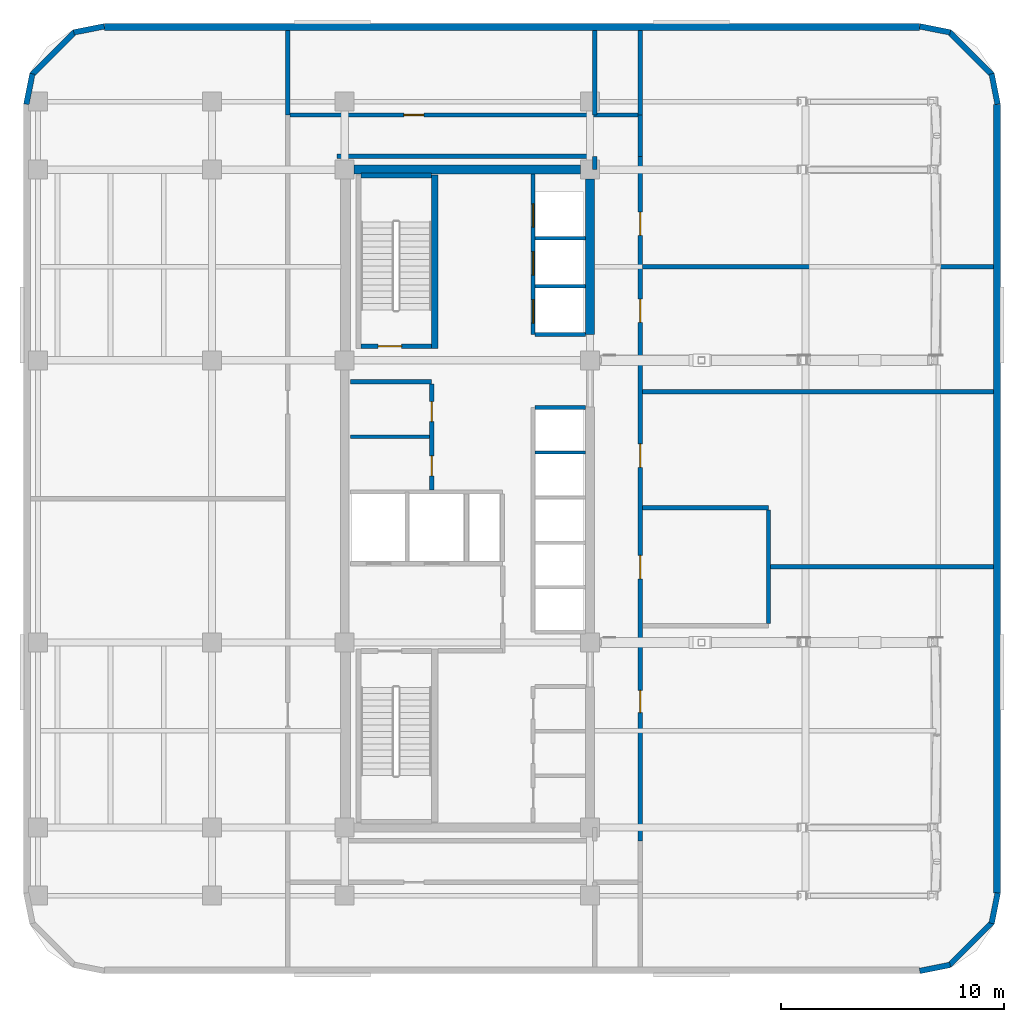
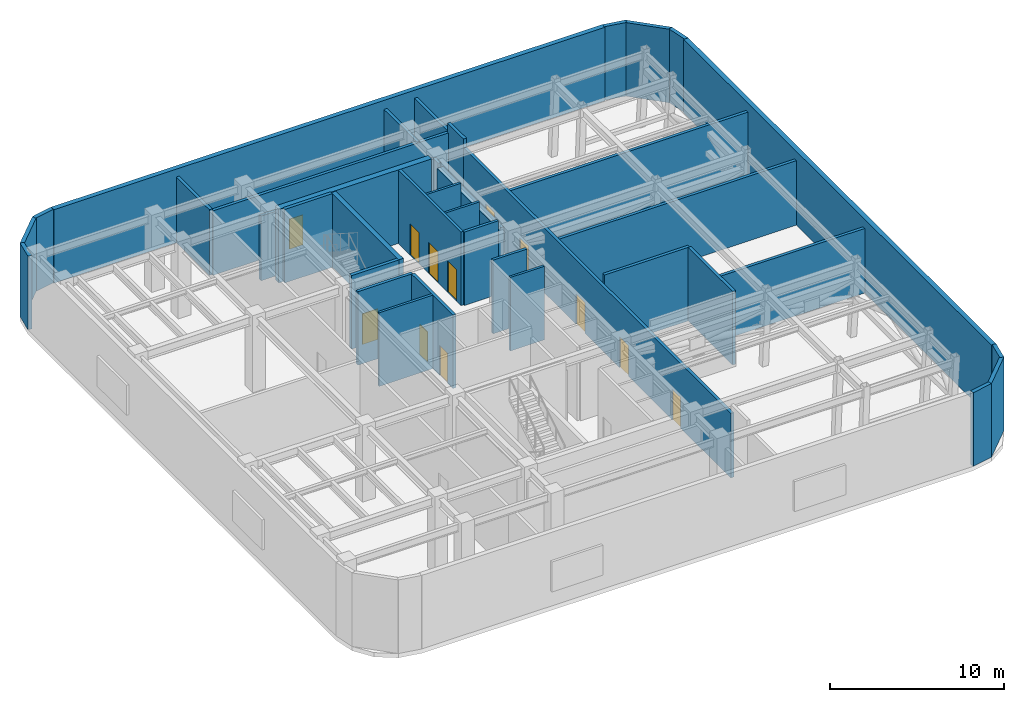
# One storey, part 7 of 12: 38 walls, 12 doors, 12 openings.
"""IFC4 building model written with IfcOpenShell, lengths in metres."""

import ifcopenshell
import ifcopenshell.guid

model = None  # the IFC model being written
_history = None  # IfcOwnerHistory: only IFC2X3 demands one
_inside = {}  # id of a spatial element -> (the spatial element, [elements in it])
_under = {}  # id of a project, library or spatial element -> (it, [spatial elements below it])
_declared = {}  # id of a project -> (the project, [libraries it declares])
_typed = {}  # id of a type object -> (the type object, [elements of that type])
_made_of = {}  # id of a material, layer set ... -> (it, [elements and type objects made of it])


def new_model(schema):
    """Start an empty IFC model of exactly this schema.

    Asked for "IFC4X3", IfcOpenShell would pick the latest addendum, in which some entities
    have other attributes; the version numbers below select the first issue.
    IFC2X3 requires an IfcOwnerHistory on every rooted entity: one is made here for all.
    """
    global model, _history
    if schema == "IFC4X3":
        model = ifcopenshell.file(schema_version=(4, 3, 0, 0))
    else:
        model = ifcopenshell.file(schema=schema)
    _inside.clear()
    _under.clear()
    _declared.clear()
    _typed.clear()
    _made_of.clear()
    _history = None
    if model.schema == "IFC2X3":
        org = make("IfcOrganization", Name="unknown")
        user = make(
            "IfcPersonAndOrganization",
            ThePerson=make("IfcPerson", FamilyName="unknown"),
            TheOrganization=org,
        )
        app = make(
            "IfcApplication",
            ApplicationDeveloper=org,
            Version="unknown",
            ApplicationFullName="unknown",
            ApplicationIdentifier="unknown",
        )
        _history = make(
            "IfcOwnerHistory",
            OwningUser=user,
            OwningApplication=app,
            ChangeAction="ADDED",
            CreationDate=0,
        )
    return model


def make(cls, **values):
    """One entity of the class cls with the attributes given. An attribute that is None is left unset."""
    return model.create_entity(
        cls, **{name: value for name, value in values.items() if value is not None}
    )


def rooted(cls, **values):
    """An entity with a GlobalId (a new one), such as an element, a storey or a relation."""
    return make(cls, GlobalId=ifcopenshell.guid.new(), OwnerHistory=_history, **values)


def si_unit(unit_type, name, prefix=None):
    """IfcSIUnit, for example si_unit("LENGTHUNIT", "METRE", prefix="MILLI")."""
    return make("IfcSIUnit", UnitType=unit_type, Prefix=prefix, Name=name)


def assignment(units):
    """IfcUnitAssignment: the units of a project."""
    return None if units is None else make("IfcUnitAssignment", Units=units)


def point(xyz):
    """IfcCartesianPoint."""
    return None if xyz is None else make("IfcCartesianPoint", Coordinates=xyz)


def direction(xyz):
    """IfcDirection."""
    return None if xyz is None else make("IfcDirection", DirectionRatios=xyz)


def frame(location, z_axis=None, x_axis=None):
    """IfcAxis2Placement3D, a coordinate frame: its origin and axes. An axis left out is left unset."""
    return make(
        "IfcAxis2Placement3D",
        Location=point(location),
        Axis=direction(z_axis),
        RefDirection=direction(x_axis),
    )


def frame_2d(location, x_axis=None):
    """IfcAxis2Placement2D, a coordinate frame in the plane: its origin and x axis."""
    return make(
        "IfcAxis2Placement2D", Location=point(location), RefDirection=direction(x_axis)
    )


def origin():
    """The frame at (0, 0, 0) with its axes left unset."""
    return frame((0.0, 0.0, 0.0))


def place(relative_to, where):
    """IfcLocalPlacement: puts the frame where relative to a parent placement (None: the world)."""
    return make(
        "IfcLocalPlacement", PlacementRelTo=relative_to, RelativePlacement=where
    )


def context(
    kind, dimensions, precision=None, world=None, true_north=None, identifier=None
):
    """IfcGeometricRepresentationContext, for example the 3D "Model" context."""
    return make(
        "IfcGeometricRepresentationContext",
        ContextIdentifier=identifier,
        ContextType=kind,
        CoordinateSpaceDimension=dimensions,
        Precision=precision,
        WorldCoordinateSystem=world,
        TrueNorth=true_north,
    )


def subcontext(parent, identifier, kind, view, scale=None):
    """IfcGeometricRepresentationSubContext, for example "Body" below "Model"."""
    return make(
        "IfcGeometricRepresentationSubContext",
        ContextIdentifier=identifier,
        ContextType=kind,
        ParentContext=parent,
        TargetScale=scale,
        TargetView=view,
    )


def project(units=None, contexts=None):
    """IfcProject with its units and contexts."""
    return rooted(
        "IfcProject",
        Name="project",
        RepresentationContexts=contexts,
        UnitsInContext=assignment(units),
    )


def spatial(cls, under=None, at=None, **own):
    """A site, building, storey or space (cls), placed at a placement, below another one or the project."""
    s = rooted(cls, ObjectPlacement=at, **own)
    if under is not None:
        _under.setdefault(under.id(), (under, []))[1].append(s)
    return s


def profile(cls, at=None, kind="AREA", **sizes):
    """A parametric profile (cls). Its sizes go by their IFC names, for example OverallWidth=200.0."""
    return make(cls, ProfileType=kind, Position=at, **sizes)


def rectangle(**sizes):
    """IfcRectangleProfileDef."""
    return profile("IfcRectangleProfileDef", **sizes)


def extrude(swept, where, along, depth):
    """IfcExtrudedAreaSolid: the profile swept, set in the frame where, extruded along a direction by depth."""
    return make(
        "IfcExtrudedAreaSolid",
        SweptArea=swept,
        Position=where,
        ExtrudedDirection=direction(along),
        Depth=depth,
    )


def shape(context_of_items, identifier, shape_type, items):
    """IfcShapeRepresentation: the items that make up one representation, for example the "Body"."""
    return make(
        "IfcShapeRepresentation",
        ContextOfItems=context_of_items,
        RepresentationIdentifier=identifier,
        RepresentationType=shape_type,
        Items=items,
    )


def material(Name=None, Category=None):
    """IfcMaterial."""
    return make("IfcMaterial", Name=Name, Category=Category)


def layer(
    of_material, thickness, ventilated=None, Name=None, Category=None, Priority=None
):
    """IfcMaterialLayer: one layer of a wall or slab, of a material (None: an air gap)."""
    return make(
        "IfcMaterialLayer",
        Material=of_material,
        LayerThickness=thickness,
        IsVentilated=ventilated,
        Name=Name,
        Category=Category,
        Priority=Priority,
    )


def layer_set(layers, Name=None):
    """IfcMaterialLayerSet."""
    return make("IfcMaterialLayerSet", MaterialLayers=layers, LayerSetName=Name)


def made_of(thing, what):
    """Note that an element or type object is made of a material, layer set ...; save() writes the relation."""
    if what is not None:
        _made_of.setdefault(what.id(), (what, []))[1].append(thing)
    return thing


def type_object(cls, material=None, **own):
    """A type object (cls), such as IfcWallType, which elements share."""
    return made_of(rooted(cls, **own), material)


def element(
    cls,
    number,
    at=None,
    inside=None,
    cuts=None,
    type_object=None,
    material=None,
    context=None,
    identifier="Body",
    shape_type=None,
    held_by="IfcProductDefinitionShape",
    body=None,
    shapes=None,
    **own,
):
    """One element of the class cls, such as IfcWall. Its Tag is "e" and its number.

    at: its placement. inside: the storey or other place that contains it. cuts: it is an
    opening in that element (IfcRelVoidsElement). A single representation is given by context,
    identifier, shape_type and body (its items); several are given by shapes. held_by: the class
    of the entity that holds the representations. save() writes the other relations.
    """
    e = rooted(cls, Tag="e%d" % number, ObjectPlacement=at, **own)
    if body is not None:
        shapes = [shape(context, identifier, shape_type, body)]
    if shapes is not None:
        e.Representation = make(held_by, Representations=shapes)
    if inside is not None:
        _inside.setdefault(inside.id(), (inside, []))[1].append(e)
    if cuts is not None:
        rooted(
            "IfcRelVoidsElement", RelatingBuildingElement=cuts, RelatedOpeningElement=e
        )
    if type_object is not None:
        _typed.setdefault(type_object.id(), (type_object, []))[1].append(e)
    return made_of(e, material)


def fill(opening, filler):
    """IfcRelFillsElement: the door or window that sits in an opening."""
    return rooted(
        "IfcRelFillsElement",
        RelatingOpeningElement=opening,
        RelatedBuildingElement=filler,
    )


def aggregate(whole, parts):
    """IfcRelAggregates: a whole, such as a stair, and the parts it consists of."""
    return rooted("IfcRelAggregates", RelatingObject=whole, RelatedObjects=parts)


def save(model, path):
    """Write the relations noted so far, then the file.

    IfcRelAggregates (storeys below a building ...), IfcRelContainedInSpatialStructure (elements
    in a storey), IfcRelDefinesByType, IfcRelAssociatesMaterial and IfcRelDeclares: one each for
    every whole, place, type object, material and project.
    """
    for whole, parts in _under.values():
        aggregate(whole, parts)
    for where, things in _inside.values():
        rooted(
            "IfcRelContainedInSpatialStructure",
            RelatedElements=things,
            RelatingStructure=where,
        )
    for kind, things in _typed.values():
        rooted("IfcRelDefinesByType", RelatedObjects=things, RelatingType=kind)
    for what, things in _made_of.values():
        rooted("IfcRelAssociatesMaterial", RelatedObjects=things, RelatingMaterial=what)
    for by, libraries in _declared.values():
        rooted("IfcRelDeclares", RelatingContext=by, RelatedDefinitions=libraries)
    model.write(path)


model = new_model("IFC4")

# Units and contexts
model_context = context("Model", 3, precision=1e-05, world=origin(), true_north=direction((0.0, 1.0)))
body_context = subcontext(model_context, "Body", "Model", "MODEL_VIEW")
ifc_project = project(units=[si_unit("LENGTHUNIT", "METRE"), si_unit("AREAUNIT", "SQUARE_METRE"), si_unit("VOLUMEUNIT", "CUBIC_METRE"), si_unit("PLANEANGLEUNIT", "RADIAN"), si_unit("MASSUNIT", "GRAM", prefix="KILO")], contexts=[model_context])

# Site, building, storey
site_placement = place(None, origin())
site = spatial("IfcSite", under=ifc_project, at=site_placement, CompositionType="ELEMENT")
building_placement = place(site_placement, origin())
building = spatial("IfcBuilding", under=site, at=building_placement, Name="Ochreholt Gables", CompositionType="ELEMENT")
storey_placement = place(building_placement, frame((0.0, 0.0, 135.60009765625)))
storey = spatial("IfcBuildingStorey", under=building, at=storey_placement, Name="L35", CompositionType="ELEMENT", Elevation=135.60009765625)

# Walls
ifc_material_1 = material(Name="Concrete 60 MPa", Category="concrete")
ifc_layer_1 = layer(ifc_material_1, 0.39990234375, Name="Concrete 60 MPa")
ifc_layer_set_1 = layer_set([ifc_layer_1], Name="Concrete 60 MPa")
wall_type_1 = type_object("IfcWallType", Name="WALL-CSW-400", PredefinedType="SHEAR", material=ifc_layer_set_1)
wall_1_placement = place(storey_placement, frame((35.199951171875, 31.35009765625, 0.0), z_axis=(0.0, 0.0, 1.0), x_axis=(0.0, 1.0, 0.0)))
element("IfcWall", 1, at=wall_1_placement, inside=storey, type_object=wall_type_1, Name="L35 Core North-East Shear Wall", PredefinedType="SHEAR", context=body_context, shape_type="SweptSolid", body=[
    extrude(rectangle(XDim=6.974853515625, YDim=0.39990234375, at=frame_2d((3.4873046875, 0.0))), origin(), (0.0, 0.0, 1.0), 4.548828125),
])
wall_2_placement = place(storey_placement, frame((24.625, 38.75, 0.0), z_axis=(0.0, 0.0, 1.0), x_axis=(1.0, 0.0, 0.0)))
element("IfcWall", 2, at=wall_2_placement, inside=storey, type_object=wall_type_1, Name="L35 Core North Shear Wall", PredefinedType="SHEAR", context=body_context, shape_type="SweptSolid", body=[
    extrude(rectangle(XDim=10.14990234375, YDim=0.39990234375, at=frame_2d((5.074951171875, 0.0))), origin(), (0.0, 0.0, 1.0), 5.159912109375),
])
ifc_material_2 = material(Name="Precast concrete 40 MPa", Category="concrete")
ifc_layer_2 = layer(ifc_material_2, 0.25, Name="Precast concrete 40 MPa")
ifc_layer_set_2 = layer_set([ifc_layer_2], Name="Precast concrete 40 MPa")
wall_type_2 = type_object("IfcWallType", Name="WALL-EXT-CNR", PredefinedType="SOLIDWALL", material=ifc_layer_set_2)
wall_3_placement = place(storey_placement, frame((49.9833984375, 2.82421875, 0.0), z_axis=(0.0, 0.0, 1.0), x_axis=(0.980809899341, 0.19496651342, 0.0)))
element("IfcWall", 3, at=wall_3_placement, inside=storey, type_object=wall_type_2, Name="L35 Rounded Corner Wall SE-1", PredefinedType="SOLIDWALL", context=body_context, shape_type="SweptSolid", body=[
    extrude(rectangle(XDim=1.388671875, YDim=0.25, at=frame_2d((0.6943359375, 0.0))), origin(), (0.0, 0.0, 1.0), 5.159912109375),
])
wall_4_placement = place(storey_placement, frame((51.294921875, 3.068115234375, 0.0), z_axis=(0.0, 0.0, 1.0), x_axis=(0.707151344399, 0.707062215165, 0.0)))
element("IfcWall", 4, at=wall_4_placement, inside=storey, type_object=wall_type_2, Name="L35 Rounded Corner Wall SE-2", PredefinedType="SOLIDWALL", context=body_context, shape_type="SweptSolid", body=[
    extrude(rectangle(XDim=2.7392578125, YDim=0.25, at=frame_2d((1.36962890625, 0.0))), origin(), (0.0, 0.0, 1.0), 5.159912109375),
])
for number, where, z_axis, x_axis, name in (
    (5, (53.205078125, 4.95458984375, 0.0), (0.0, 0.0, 1.0), (0.195000137217, 0.980803214965, 0.0), "L35 Rounded Corner Wall SE-3"),
    (6, (53.475830078125, 41.68359375, 0.0), (0.0, 0.0, 1.0), (-0.195000137217, 0.980803214965, 0.0), "L35 Rounded Corner Wall NE-1"),
):
    element("IfcWall", number, at=place(storey_placement, frame(where, z_axis=z_axis, x_axis=x_axis)), inside=storey, type_object=wall_type_2, Name=name, PredefinedType="SOLIDWALL", context=body_context, shape_type="SweptSolid", body=[
        extrude(rectangle(XDim=1.388427734375, YDim=0.25, at=frame_2d((0.6943359375, 0.0))), origin(), (0.0, 0.0, 1.0), 5.159912109375),
    ])
wall_5_placement = place(storey_placement, frame((53.23193359375, 42.9951171875, 0.0), z_axis=(0.0, 0.0, 1.0), x_axis=(-0.707151344399, 0.707062215165, 0.0)))
element("IfcWall", 7, at=wall_5_placement, inside=storey, type_object=wall_type_2, Name="L35 Rounded Corner Wall NE-2", PredefinedType="SOLIDWALL", context=body_context, shape_type="SweptSolid", body=[
    extrude(rectangle(XDim=2.7392578125, YDim=0.25, at=frame_2d((1.36962890625, 0.0))), origin(), (0.0, 0.0, 1.0), 5.159912109375),
])
for number, where, z_axis, x_axis, name in (
    (8, (51.345458984375, 44.905029296875, 0.0), (0.0, 0.0, 1.0), (-0.980809899341, 0.19496651342, 0.0), "L35 Rounded Corner Wall NE-3"),
    (9, (13.41650390625, 45.17578125, 0.0), (0.0, 0.0, 1.0), (-0.980809899341, -0.19496651342, 0.0), "L35 Rounded Corner Wall NW-1"),
):
    element("IfcWall", number, at=place(storey_placement, frame(where, z_axis=z_axis, x_axis=x_axis)), inside=storey, type_object=wall_type_2, Name=name, PredefinedType="SOLIDWALL", context=body_context, shape_type="SweptSolid", body=[
        extrude(rectangle(XDim=1.388671875, YDim=0.25, at=frame_2d((0.6943359375, 0.0))), origin(), (0.0, 0.0, 1.0), 5.159912109375),
    ])
wall_6_placement = place(storey_placement, frame((12.10498046875, 44.931884765625, 0.0), z_axis=(0.0, 0.0, 1.0), x_axis=(-0.707151344399, -0.707062215165, 0.0)))
element("IfcWall", 10, at=wall_6_placement, inside=storey, type_object=wall_type_2, Name="L35 Rounded Corner Wall NW-2", PredefinedType="SOLIDWALL", context=body_context, shape_type="SweptSolid", body=[
    extrude(rectangle(XDim=2.7392578125, YDim=0.25, at=frame_2d((1.36962890625, 0.0))), origin(), (0.0, 0.0, 1.0), 5.159912109375),
])
wall_7_placement = place(storey_placement, frame((10.195068359375, 43.04541015625, 0.0), z_axis=(0.0, 0.0, 1.0), x_axis=(-0.195000137217, -0.980803214965, 0.0)))
element("IfcWall", 11, at=wall_7_placement, inside=storey, type_object=wall_type_2, Name="L35 Rounded Corner Wall NW-3", PredefinedType="SOLIDWALL", context=body_context, shape_type="SweptSolid", body=[
    extrude(rectangle(XDim=1.388427734375, YDim=0.25, at=frame_2d((0.6943359375, 0.0))), origin(), (0.0, 0.0, 1.0), 5.159912109375),
])
ifc_material_3 = material(Name="Precast concrete 50 MPa", Category="concrete")
ifc_layer_3 = layer(ifc_material_3, 0.31005859375, Name="Precast concrete 50 MPa")
ifc_layer_set_3 = layer_set([ifc_layer_3], Name="Precast concrete 50 MPa")
wall_type_3 = type_object("IfcWallType", Name="WALL-EXT-PLT", PredefinedType="SOLIDWALL", material=ifc_layer_set_3)
wall_8_placement = place(storey_placement, frame((53.445068359375, 6.320068359375, 0.0), z_axis=(0.0, 0.0, 1.0), x_axis=(0.0, 1.0, 0.0)))
element("IfcWall", 12, at=wall_8_placement, inside=storey, type_object=wall_type_3, Name="L35 East Plant Facade Wall", PredefinedType="SOLIDWALL", context=body_context, shape_type="SweptSolid", body=[
    extrude(rectangle(XDim=35.35986328125, YDim=0.31005859375, at=frame_2d((17.679931640625, 0.0))), origin(), (0.0, 0.0, 1.0), 5.159912109375),
])
wall_9_placement = place(storey_placement, frame((49.97998046875, 45.14501953125, 0.0), z_axis=(0.0, 0.0, 1.0), x_axis=(-1.0, 0.0, 0.0)))
element("IfcWall", 13, at=wall_9_placement, inside=storey, type_object=wall_type_3, Name="L35 North Plant Facade Wall", PredefinedType="SOLIDWALL", context=body_context, shape_type="SweptSolid", body=[
    extrude(rectangle(XDim=36.56005859375, YDim=0.31005859375, at=frame_2d((18.280029296875, 0.0))), origin(), (0.0, 0.0, 1.0), 5.159912109375),
])
ifc_material_4 = material(Name="Concrete 40 MPa", Category="concrete")
ifc_layer_4 = layer(ifc_material_4, 0.199951171875, Name="Concrete 40 MPa")
ifc_layer_set_4 = layer_set([ifc_layer_4], Name="Concrete 40 MPa")
wall_type_4 = type_object("IfcWallType", Name="WALL-INT-CF200", PredefinedType="STANDARD", material=ifc_layer_set_4)
wall_10_placement = place(storey_placement, frame((24.449951171875, 29.239990234375, 0.0), z_axis=(0.0, 0.0, 1.0), x_axis=(1.0, 0.0, 0.0)))
element("IfcWall", 14, at=wall_10_placement, inside=storey, type_object=wall_type_4, Name="L35 Interior Wall WI-SRVN-L35", PredefinedType="STANDARD", context=body_context, shape_type="SweptSolid", body=[
    extrude(rectangle(XDim=3.650146484375, YDim=0.199951171875, at=frame_2d((1.8251953125, 0.0))), origin(), (0.0, 0.0, 1.0), 5.159912109375),
])

# Wall, openings, doors
wall_11_placement = place(storey_placement, frame((28.10009765625, 24.389892578125, 0.0), z_axis=(0.0, 0.0, 1.0), x_axis=(0.0, 1.0, 0.0)))
wall_11 = element("IfcWall", 15, at=wall_11_placement, inside=storey, type_object=wall_type_4, Name="L35 Interior Wall WI-SRVE-L35", PredefinedType="STANDARD", context=body_context, shape_type="SweptSolid", body=[
    extrude(rectangle(XDim=4.75, YDim=0.199951171875, at=frame_2d((2.375, 0.0))), origin(), (0.0, 0.0, 1.0), 5.159912109375),
])
opening_1_placement = place(wall_11_placement, frame((0.6298828125, 0.0, 0.0)))
opening_1 = element("IfcOpeningElement", 16, at=opening_1_placement, cuts=wall_11, Name="Opening D-SV1", PredefinedType="OPENING", context=body_context, shape_type="SweptSolid", body=[
    extrude(rectangle(XDim=0.89990234375, YDim=2.10009765625, at=frame_2d((0.449951171875, 1.050048828125))), frame((0.0, 0.10986328125, 0.0), z_axis=(0.0, -1.0, 0.0), x_axis=(1.0, 0.0, 0.0)), (0.0, 0.0, 1.0), 0.219970703125),
])
opening_2_placement = place(wall_11_placement, frame((3.06005859375, 0.0, 0.0)))
opening_2 = element("IfcOpeningElement", 17, at=opening_2_placement, cuts=wall_11, Name="Opening D-SV1", PredefinedType="OPENING", context=body_context, shape_type="SweptSolid", body=[
    extrude(rectangle(XDim=0.89990234375, YDim=2.10009765625, at=frame_2d((0.449951171875, 1.050048828125))), frame((0.0, 0.10986328125, 0.0), z_axis=(0.0, -1.0, 0.0), x_axis=(1.0, 0.0, 0.0)), (0.0, 0.0, 1.0), 0.219970703125),
])
ifc_material_5 = material(Name="Hollow Metal Steel", Category="steel")
door_type_1 = type_object("IfcDoorType", Name="DR-INT-SRV900", OperationType="NOTDEFINED", PredefinedType="DOOR", material=ifc_material_5)
door_1_placement = place(opening_1_placement, origin())
door_1 = element("IfcDoor", 18, at=door_1_placement, inside=storey, type_object=door_type_1, Name="L35 Door D-SRV1-L35", OperationType="SINGLE_SWING_LEFT", OverallHeight=2.10009765625, OverallWidth=0.89990234375, PredefinedType="DOOR", context=body_context, shape_type="SweptSolid", body=[
    extrude(rectangle(XDim=0.89990234375, YDim=2.10009765625, at=frame_2d((0.449951171875, 1.050048828125))), frame((0.0, 0.02490234375, 0.0), z_axis=(0.0, -1.0, 0.0), x_axis=(1.0, 0.0, 0.0)), (0.0, 0.0, 1.0), 0.050048828125),
])
fill(opening_1, door_1)
door_2_placement = place(opening_2_placement, origin())
door_2 = element("IfcDoor", 19, at=door_2_placement, inside=storey, type_object=door_type_1, Name="L35 Door D-SRV2-L35", OperationType="SINGLE_SWING_RIGHT", OverallHeight=2.10009765625, OverallWidth=0.89990234375, PredefinedType="DOOR", context=body_context, shape_type="SweptSolid", body=[
    extrude(rectangle(XDim=0.89990234375, YDim=2.10009765625, at=frame_2d((0.449951171875, 1.050048828125))), frame((0.0, 0.02490234375, 0.0), z_axis=(0.0, -1.0, 0.0), x_axis=(1.0, 0.0, 0.0)), (0.0, 0.0, 1.0), 0.050048828125),
])
fill(opening_2, door_2)

wall_12_placement = place(storey_placement, frame((37.449951171875, 8.64990234375, 0.0), z_axis=(0.0, 0.0, 1.0), x_axis=(0.0, 1.0, 0.0)))
wall_12 = element("IfcWall", 20, at=wall_12_placement, inside=storey, type_object=wall_type_4, Name="L35 Interior Wall WI-PLCE-L35", PredefinedType="STANDARD", context=body_context, shape_type="SweptSolid", body=[
    extrude(rectangle(XDim=30.7001953125, YDim=0.199951171875, at=frame_2d((15.35009765625, 0.0))), origin(), (0.0, 0.0, 1.0), 4.531005859375),
])
opening_3_placement = place(wall_12_placement, frame((11.75, 0.0, 0.0)))
opening_3 = element("IfcOpeningElement", 21, at=opening_3_placement, cuts=wall_12, Name="Opening D-FLB", PredefinedType="OPENING", context=body_context, shape_type="SweptSolid", body=[
    extrude(rectangle(XDim=1.050048828125, YDim=2.14990234375, at=frame_2d((0.52490234375, 1.074951171875))), frame((0.0, 0.10986328125, 0.0), z_axis=(0.0, -1.0, 0.0), x_axis=(1.0, 0.0, 0.0)), (0.0, 0.0, 1.0), 0.219970703125),
])
opening_4_placement = place(wall_12_placement, frame((5.75, 0.0, 0.0)))
opening_4 = element("IfcOpeningElement", 22, at=opening_4_placement, cuts=wall_12, Name="Opening D-SV3", PredefinedType="OPENING", context=body_context, shape_type="SweptSolid", body=[
    extrude(rectangle(XDim=1.0, YDim=2.14990234375, at=frame_2d((0.5, 1.074951171875))), frame((0.0, 0.10986328125, 0.0), z_axis=(0.0, -1.0, 0.0), x_axis=(1.0, 0.0, 0.0)), (0.0, 0.0, 1.0), 0.219970703125),
])
opening_5_placement = place(wall_12_placement, frame((16.75, 0.0, 0.0)))
opening_5 = element("IfcOpeningElement", 23, at=opening_5_placement, cuts=wall_12, Name="Opening D-SV4", PredefinedType="OPENING", context=body_context, shape_type="SweptSolid", body=[
    extrude(rectangle(XDim=1.050048828125, YDim=2.14990234375, at=frame_2d((0.52490234375, 1.074951171875))), frame((0.0, 0.10986328125, 0.0), z_axis=(0.0, -1.0, 0.0), x_axis=(1.0, 0.0, 0.0)), (0.0, 0.0, 1.0), 0.219970703125),
])
opening_6_placement = place(wall_12_placement, frame((23.25, 0.0, 0.0)))
opening_6 = element("IfcOpeningElement", 24, at=opening_6_placement, cuts=wall_12, Name="Opening D-SV4", PredefinedType="OPENING", context=body_context, shape_type="SweptSolid", body=[
    extrude(rectangle(XDim=1.050048828125, YDim=2.14990234375, at=frame_2d((0.52490234375, 1.074951171875))), frame((0.0, 0.10986328125, 0.0), z_axis=(0.0, -1.0, 0.0), x_axis=(1.0, 0.0, 0.0)), (0.0, 0.0, 1.0), 0.219970703125),
])
opening_7_placement = place(wall_12_placement, frame((27.14990234375, 0.0, 0.0)))
opening_7 = element("IfcOpeningElement", 25, at=opening_7_placement, cuts=wall_12, Name="Opening D-SV4", PredefinedType="OPENING", context=body_context, shape_type="SweptSolid", body=[
    extrude(rectangle(XDim=1.050048828125, YDim=2.14990234375, at=frame_2d((0.52490234375, 1.074951171875))), frame((0.0, 0.10986328125, 0.0), z_axis=(0.0, -1.0, 0.0), x_axis=(1.0, 0.0, 0.0)), (0.0, 0.0, 1.0), 0.219970703125),
])
door_type_2 = type_object("IfcDoorType", Name="DR-INT-FLB1050", OperationType="NOTDEFINED", PredefinedType="DOOR", material=ifc_material_5)
door_3_placement = place(opening_3_placement, origin())
door_3 = element("IfcDoor", 26, at=door_3_placement, inside=storey, type_object=door_type_2, Name="L35 Door D-PLRF-L35", OperationType="SINGLE_SWING_LEFT", OverallHeight=2.14990234375, OverallWidth=1.050048828125, PredefinedType="DOOR", context=body_context, shape_type="SweptSolid", body=[
    extrude(rectangle(XDim=1.050048828125, YDim=2.14990234375, at=frame_2d((0.52490234375, 1.074951171875))), frame((0.0, 0.02490234375, 0.0), z_axis=(0.0, -1.0, 0.0), x_axis=(1.0, 0.0, 0.0)), (0.0, 0.0, 1.0), 0.050048828125),
])
fill(opening_3, door_3)
door_type_3 = type_object("IfcDoorType", Name="DR-INT-SRV1000", OperationType="NOTDEFINED", PredefinedType="DOOR", material=ifc_material_5)
door_4_placement = place(opening_4_placement, origin())
door_4 = element("IfcDoor", 27, at=door_4_placement, inside=storey, type_object=door_type_3, Name="L35 Door D-PL1-L35", OperationType="SINGLE_SWING_RIGHT", OverallHeight=2.14990234375, OverallWidth=1.0, PredefinedType="DOOR", context=body_context, shape_type="SweptSolid", body=[
    extrude(rectangle(XDim=1.0, YDim=2.14990234375, at=frame_2d((0.5, 1.074951171875))), frame((0.0, 0.02490234375, 0.0), z_axis=(0.0, -1.0, 0.0), x_axis=(1.0, 0.0, 0.0)), (0.0, 0.0, 1.0), 0.050048828125),
])
fill(opening_4, door_4)
door_type_4 = type_object("IfcDoorType", Name="DR-INT-SRV1050", OperationType="NOTDEFINED", PredefinedType="DOOR", material=ifc_material_5)
door_5_placement = place(opening_5_placement, origin())
door_5 = element("IfcDoor", 28, at=door_5_placement, inside=storey, type_object=door_type_4, Name="L35 Door D-PL2-L35", OperationType="SINGLE_SWING_LEFT", OverallHeight=2.14990234375, OverallWidth=1.050048828125, PredefinedType="DOOR", context=body_context, shape_type="SweptSolid", body=[
    extrude(rectangle(XDim=1.050048828125, YDim=2.14990234375, at=frame_2d((0.52490234375, 1.074951171875))), frame((0.0, 0.02490234375, 0.0), z_axis=(0.0, -1.0, 0.0), x_axis=(1.0, 0.0, 0.0)), (0.0, 0.0, 1.0), 0.050048828125),
])
fill(opening_5, door_5)
door_6_placement = place(opening_6_placement, origin())
door_6 = element("IfcDoor", 29, at=door_6_placement, inside=storey, type_object=door_type_4, Name="L35 Door D-PL3-L35", OperationType="SINGLE_SWING_RIGHT", OverallHeight=2.14990234375, OverallWidth=1.050048828125, PredefinedType="DOOR", context=body_context, shape_type="SweptSolid", body=[
    extrude(rectangle(XDim=1.050048828125, YDim=2.14990234375, at=frame_2d((0.52490234375, 1.074951171875))), frame((0.0, 0.02490234375, 0.0), z_axis=(0.0, -1.0, 0.0), x_axis=(1.0, 0.0, 0.0)), (0.0, 0.0, 1.0), 0.050048828125),
])
fill(opening_6, door_6)
door_7_placement = place(opening_7_placement, origin())
door_7 = element("IfcDoor", 30, at=door_7_placement, inside=storey, type_object=door_type_4, Name="L35 Door D-PL4-L35", OperationType="SINGLE_SWING_LEFT", OverallHeight=2.14990234375, OverallWidth=1.050048828125, PredefinedType="DOOR", context=body_context, shape_type="SweptSolid", body=[
    extrude(rectangle(XDim=1.050048828125, YDim=2.14990234375, at=frame_2d((0.52490234375, 1.074951171875))), frame((0.0, 0.02490234375, 0.0), z_axis=(0.0, -1.0, 0.0), x_axis=(1.0, 0.0, 0.0)), (0.0, 0.0, 1.0), 0.050048828125),
])
fill(opening_7, door_7)

# Walls
wall_13_placement = place(storey_placement, frame((37.449951171875, 39.35009765625, 0.0), z_axis=(0.0, 0.0, 1.0), x_axis=(0.0, 1.0, 0.0)))
element("IfcWall", 31, at=wall_13_placement, inside=storey, type_object=wall_type_4, Name="L35 Interior Wall WI-PLCEN0-L35", PredefinedType="STANDARD", context=body_context, shape_type="SweptSolid", body=[
    extrude(rectangle(XDim=1.849853515625, YDim=0.199951171875, at=frame_2d((0.9248046875, 0.0))), origin(), (0.0, 0.0, 1.0), 5.159912109375),
])
wall_14_placement = place(storey_placement, frame((37.449951171875, 41.199951171875, 0.0), z_axis=(0.0, 0.0, 1.0), x_axis=(0.0, 1.0, 0.0)))
element("IfcWall", 32, at=wall_14_placement, inside=storey, type_object=wall_type_4, Name="L35 Interior Wall WI-PLCEN1-L35", PredefinedType="STANDARD", context=body_context, shape_type="SweptSolid", body=[
    extrude(rectangle(XDim=3.7900390625, YDim=0.199951171875, at=frame_2d((1.89501953125, 0.0))), origin(), (0.0, 0.0, 1.0), 4.60888671875),
])
wall_15_placement = place(storey_placement, frame((35.419921875, 38.75, 0.0), z_axis=(0.0, 0.0, 1.0), x_axis=(0.0, 1.0, 0.0)))
element("IfcWall", 33, at=wall_15_placement, inside=storey, type_object=wall_type_4, Name="L35 Interior Wall WI-PLCNW1-L35", PredefinedType="STANDARD", context=body_context, shape_type="SweptSolid", body=[
    extrude(rectangle(XDim=0.60009765625, YDim=0.199951171875, at=frame_2d((0.300048828125, 0.0))), origin(), (0.0, 0.0, 1.0), 4.531005859375),
])
wall_16_placement = place(storey_placement, frame((35.419921875, 41.199951171875, 0.0), z_axis=(0.0, 0.0, 1.0), x_axis=(0.0, 1.0, 0.0)))
element("IfcWall", 34, at=wall_16_placement, inside=storey, type_object=wall_type_4, Name="L35 Interior Wall WI-PLCNW0-L35", PredefinedType="STANDARD", context=body_context, shape_type="SweptSolid", body=[
    extrude(rectangle(XDim=3.7900390625, YDim=0.199951171875, at=frame_2d((1.89501953125, 0.0))), origin(), (0.0, 0.0, 1.0), 4.531005859375),
])
wall_17_placement = place(storey_placement, frame((37.550048828125, 23.60009765625, 0.0), z_axis=(0.0, 0.0, 1.0), x_axis=(1.0, 0.0, 0.0)))
element("IfcWall", 35, at=wall_17_placement, inside=storey, type_object=wall_type_4, Name="L35 Interior Wall WI-PLRFN-L35", PredefinedType="STANDARD", context=body_context, shape_type="SweptSolid", body=[
    extrude(rectangle(XDim=5.64990234375, YDim=0.199951171875, at=frame_2d((2.824951171875, 0.0))), origin(), (0.0, 0.0, 1.0), 5.159912109375),
])
wall_18_placement = place(storey_placement, frame((43.199951171875, 18.39990234375, 0.0), z_axis=(0.0, 0.0, 1.0), x_axis=(0.0, 1.0, 0.0)))
element("IfcWall", 36, at=wall_18_placement, inside=storey, type_object=wall_type_4, Name="L35 Interior Wall WI-PLRFE-L35", PredefinedType="STANDARD", context=body_context, shape_type="SweptSolid", body=[
    extrude(rectangle(XDim=5.10009765625, YDim=0.199951171875, at=frame_2d((2.550048828125, 0.0))), origin(), (0.0, 0.0, 1.0), 5.159912109375),
])
wall_19_placement = place(storey_placement, frame((43.300048828125, 20.949951171875, 0.0), z_axis=(0.0, 0.0, 1.0), x_axis=(1.0, 0.0, 0.0)))
element("IfcWall", 37, at=wall_19_placement, inside=storey, type_object=wall_type_4, Name="L35 Interior Wall WI-PLE0-L35", PredefinedType="STANDARD", context=body_context, shape_type="SweptSolid", body=[
    extrude(rectangle(XDim=9.989990234375, YDim=0.199951171875, at=frame_2d((4.9951171875, 0.0))), origin(), (0.0, 0.0, 1.0), 4.531005859375),
])
for number, where, z_axis, x_axis, name in (
    (38, (37.550048828125, 28.800048828125, 0.0), (0.0, 0.0, 1.0), (1.0, 0.0, 0.0), "L35 Interior Wall WI-PLE1-L35"),
    (39, (37.550048828125, 34.39990234375, 0.0), (0.0, 0.0, 1.0), (1.0, 0.0, 0.0), "L35 Interior Wall WI-PLE2-L35"),
):
    element("IfcWall", number, at=place(storey_placement, frame(where, z_axis=z_axis, x_axis=x_axis)), inside=storey, type_object=wall_type_4, Name=name, PredefinedType="STANDARD", context=body_context, shape_type="SweptSolid", body=[
        extrude(rectangle(XDim=15.739990234375, YDim=0.199951171875, at=frame_2d((7.8701171875, 0.0))), origin(), (0.0, 0.0, 1.0), 4.531005859375),
    ])

# Wall, opening, door
wall_20_placement = place(storey_placement, frame((21.75, 41.199951171875, 0.0), z_axis=(0.0, 0.0, 1.0), x_axis=(1.0, 0.0, 0.0)))
wall_20 = element("IfcWall", 40, at=wall_20_placement, inside=storey, type_object=wall_type_4, Name="L35 Interior Wall WI-PLCN-L35", PredefinedType="STANDARD", context=body_context, shape_type="SweptSolid", body=[
    extrude(rectangle(XDim=15.60009765625, YDim=0.199951171875, at=frame_2d((7.800048828125, 0.0))), origin(), (0.0, 0.0, 1.0), 4.531005859375),
])
opening_8_placement = place(wall_20_placement, frame((5.10009765625, 0.0, 0.0)))
opening_8 = element("IfcOpeningElement", 41, at=opening_8_placement, cuts=wall_20, Name="Opening D-SV1", PredefinedType="OPENING", context=body_context, shape_type="SweptSolid", body=[
    extrude(rectangle(XDim=0.89990234375, YDim=2.10009765625, at=frame_2d((0.449951171875, 1.050048828125))), frame((0.0, 0.10986328125, 0.0), z_axis=(0.0, -1.0, 0.0), x_axis=(1.0, 0.0, 0.0)), (0.0, 0.0, 1.0), 0.219970703125),
])
door_8_placement = place(opening_8_placement, origin())
door_8 = element("IfcDoor", 42, at=door_8_placement, inside=storey, type_object=door_type_1, Name="L35 Door D-PLN0-L35", OperationType="SINGLE_SWING_RIGHT", OverallHeight=2.10009765625, OverallWidth=0.89990234375, PredefinedType="DOOR", context=body_context, shape_type="SweptSolid", body=[
    extrude(rectangle(XDim=0.89990234375, YDim=2.10009765625, at=frame_2d((0.449951171875, 1.050048828125))), frame((0.0, 0.02490234375, 0.0), z_axis=(0.0, -1.0, 0.0), x_axis=(1.0, 0.0, 0.0)), (0.0, 0.0, 1.0), 0.050048828125),
])
fill(opening_8, door_8)

# Walls
wall_21_placement = place(storey_placement, frame((23.85009765625, 39.35009765625, 0.0), z_axis=(0.0, 0.0, 1.0), x_axis=(1.0, 0.0, 0.0)))
element("IfcWall", 43, at=wall_21_placement, inside=storey, type_object=wall_type_4, Name="L35 Interior Wall WI-PLCN2-L35", PredefinedType="STANDARD", context=body_context, shape_type="SweptSolid", body=[
    extrude(rectangle(XDim=11.469970703125, YDim=0.199951171875, at=frame_2d((5.73486328125, 0.0))), origin(), (0.0, 0.0, 1.0), 4.531005859375),
])
wall_22_placement = place(storey_placement, frame((21.64990234375, 41.199951171875, 0.0), z_axis=(0.0, 0.0, 1.0), x_axis=(0.0, 1.0, 0.0)))
element("IfcWall", 44, at=wall_22_placement, inside=storey, type_object=wall_type_4, Name="L35 Interior Wall WI-PLCWN-L35", PredefinedType="STANDARD", context=body_context, shape_type="SweptSolid", body=[
    extrude(rectangle(XDim=3.7900390625, YDim=0.199951171875, at=frame_2d((1.89501953125, 0.0))), origin(), (0.0, 0.0, 1.0), 4.60888671875),
])
ifc_material_6 = material(Name="Gypsum Acoustic Stud Partition", Category="gypsum")
ifc_layer_5 = layer(ifc_material_6, 0.1650390625, Name="Gypsum Acoustic Stud Partition")
ifc_layer_set_5 = layer_set([ifc_layer_5], Name="Gypsum Acoustic Stud Partition")
wall_type_5 = type_object("IfcWallType", Name="WALL-INT-PT165", PredefinedType="PARTITIONING", material=ifc_layer_set_5)
wall_23_placement = place(storey_placement, frame((24.449951171875, 26.780029296875, 0.0), z_axis=(0.0, 0.0, 1.0), x_axis=(1.0, 0.0, 0.0)))
element("IfcWall", 45, at=wall_23_placement, inside=storey, type_object=wall_type_5, Name="L35 Interior Wall WI-SRVP1-L35", PredefinedType="PARTITIONING", context=body_context, shape_type="SweptSolid", body=[
    extrude(rectangle(XDim=3.550048828125, YDim=0.1650390625, at=frame_2d((1.77490234375, 0.0))), origin(), (0.0, 0.0, 1.0), 5.159912109375),
])
ifc_material_7 = material(Name="Gypsum Shaftliner and Steel Stud", Category="steel")
ifc_layer_6 = layer(ifc_material_7, 0.14990234375, Name="Gypsum Shaftliner and Steel Stud")
ifc_layer_set_6 = layer_set([ifc_layer_6], Name="Gypsum Shaftliner and Steel Stud")
wall_type_6 = type_object("IfcWallType", Name="WALL-INT-SH150", PredefinedType="STANDARD", material=ifc_layer_set_6)
for number, where, z_axis, x_axis, name in (
    (46, (32.739990234375, 26.070068359375, 0.0), (0.0, 0.0, 1.0), (1.0, 0.0, 0.0), "L35 Interior Wall WI-LFHE-DEX1-L35"),
    (47, (32.739990234375, 33.52001953125, 0.0), (0.0, 0.0, 1.0), (1.0, 0.0, 0.0), "L35 Interior Wall WI-LFM-D1-L35"),
    (48, (32.739990234375, 35.669921875, 0.0), (0.0, 0.0, 1.0), (1.0, 0.0, 0.0), "L35 Interior Wall WI-LFM-D2-L35"),
):
    element("IfcWall", number, at=place(storey_placement, frame(where, z_axis=z_axis, x_axis=x_axis)), inside=storey, type_object=wall_type_6, Name=name, PredefinedType="STANDARD", context=body_context, shape_type="SweptSolid", body=[
        extrude(rectangle(XDim=2.260009765625, YDim=0.14990234375, at=frame_2d((1.1298828125, 0.0))), origin(), (0.0, 0.0, 1.0), 5.159912109375),
    ])
ifc_layer_7 = layer(ifc_material_7, 0.179931640625, Name="Gypsum Shaftliner and Steel Stud")
ifc_layer_set_7 = layer_set([ifc_layer_7], Name="Gypsum Shaftliner and Steel Stud")
wall_type_7 = type_object("IfcWallType", Name="WALL-INT-SH180", PredefinedType="STANDARD", material=ifc_layer_set_7)
wall_24_placement = place(storey_placement, frame((32.739990234375, 28.080078125, 0.0), z_axis=(0.0, 0.0, 1.0), x_axis=(1.0, 0.0, 0.0)))
element("IfcWall", 49, at=wall_24_placement, inside=storey, type_object=wall_type_7, Name="L35 Interior Wall WI-LFHE-N-L35", PredefinedType="STANDARD", context=body_context, shape_type="SweptSolid", body=[
    extrude(rectangle(XDim=2.260009765625, YDim=0.179931640625, at=frame_2d((1.1298828125, 0.0))), origin(), (0.0, 0.0, 1.0), 5.159912109375),
])

# Wall, openings, doors
wall_25_placement = place(storey_placement, frame((32.64990234375, 31.35009765625, 0.0), z_axis=(0.0, 0.0, 1.0), x_axis=(0.0, 1.0, 0.0)))
wall_25 = element("IfcWall", 50, at=wall_25_placement, inside=storey, type_object=wall_type_7, Name="L35 Interior Wall WI-LFM-FR-L35", PredefinedType="STANDARD", context=body_context, shape_type="SweptSolid", body=[
    extrude(rectangle(XDim=7.199951171875, YDim=0.179931640625, at=frame_2d((3.60009765625, 0.0))), origin(), (0.0, 0.0, 1.0), 5.159912109375),
])
opening_9_placement = place(wall_25_placement, frame((0.52001953125, 0.0, 0.0)))
opening_9 = element("IfcOpeningElement", 51, at=opening_9_placement, cuts=wall_25, Name="Opening LD-PX", PredefinedType="OPENING", context=body_context, shape_type="SweptSolid", body=[
    extrude(rectangle(XDim=1.050048828125, YDim=2.199951171875, at=frame_2d((0.52490234375, 1.10009765625))), frame((0.0, 0.099853515625, 0.0), z_axis=(0.0, -1.0, 0.0), x_axis=(1.0, 0.0, 0.0)), (0.0, 0.0, 1.0), 0.199951171875),
])
opening_10_placement = place(wall_25_placement, frame((2.669921875, 0.0, 0.0)))
opening_10 = element("IfcOpeningElement", 52, at=opening_10_placement, cuts=wall_25, Name="Opening LD-PX", PredefinedType="OPENING", context=body_context, shape_type="SweptSolid", body=[
    extrude(rectangle(XDim=1.050048828125, YDim=2.199951171875, at=frame_2d((0.52490234375, 1.10009765625))), frame((0.0, 0.099853515625, 0.0), z_axis=(0.0, -1.0, 0.0), x_axis=(1.0, 0.0, 0.0)), (0.0, 0.0, 1.0), 0.199951171875),
])
opening_11_placement = place(wall_25_placement, frame((4.820068359375, 0.0, 0.0)))
opening_11 = element("IfcOpeningElement", 53, at=opening_11_placement, cuts=wall_25, Name="Opening LD-PX", PredefinedType="OPENING", context=body_context, shape_type="SweptSolid", body=[
    extrude(rectangle(XDim=1.050048828125, YDim=2.199951171875, at=frame_2d((0.52490234375, 1.10009765625))), frame((0.0, 0.099853515625, 0.0), z_axis=(0.0, -1.0, 0.0), x_axis=(1.0, 0.0, 0.0)), (0.0, 0.0, 1.0), 0.199951171875),
])
ifc_material_8 = material(Name="Stainless Steel", Category="steel")
door_type_5 = type_object("IfcDoorType", Name="DR-LFT-PX1050", OperationType="NOTDEFINED", PredefinedType="DOOR", material=ifc_material_8)
door_9_placement = place(opening_9_placement, origin())
door_9 = element("IfcDoor", 54, at=door_9_placement, inside=storey, type_object=door_type_5, Name="L35 Door LD-M1-L35", OperationType="SLIDING_TO_LEFT", OverallHeight=2.199951171875, OverallWidth=1.050048828125, PredefinedType="DOOR", context=body_context, shape_type="SweptSolid", body=[
    extrude(rectangle(XDim=1.050048828125, YDim=2.199951171875, at=frame_2d((0.52490234375, 1.10009765625))), frame((0.0, 0.02490234375, 0.0), z_axis=(0.0, -1.0, 0.0), x_axis=(1.0, 0.0, 0.0)), (0.0, 0.0, 1.0), 0.050048828125),
])
fill(opening_9, door_9)
door_10_placement = place(opening_10_placement, origin())
door_10 = element("IfcDoor", 55, at=door_10_placement, inside=storey, type_object=door_type_5, Name="L35 Door LD-M2-L35", OperationType="SLIDING_TO_LEFT", OverallHeight=2.199951171875, OverallWidth=1.050048828125, PredefinedType="DOOR", context=body_context, shape_type="SweptSolid", body=[
    extrude(rectangle(XDim=1.050048828125, YDim=2.199951171875, at=frame_2d((0.52490234375, 1.10009765625))), frame((0.0, 0.02490234375, 0.0), z_axis=(0.0, -1.0, 0.0), x_axis=(1.0, 0.0, 0.0)), (0.0, 0.0, 1.0), 0.050048828125),
])
fill(opening_10, door_10)
door_11_placement = place(opening_11_placement, origin())
door_11 = element("IfcDoor", 56, at=door_11_placement, inside=storey, type_object=door_type_5, Name="L35 Door LD-M3-L35", OperationType="SLIDING_TO_LEFT", OverallHeight=2.199951171875, OverallWidth=1.050048828125, PredefinedType="DOOR", context=body_context, shape_type="SweptSolid", body=[
    extrude(rectangle(XDim=1.050048828125, YDim=2.199951171875, at=frame_2d((0.52490234375, 1.10009765625))), frame((0.0, 0.02490234375, 0.0), z_axis=(0.0, -1.0, 0.0), x_axis=(1.0, 0.0, 0.0)), (0.0, 0.0, 1.0), 0.050048828125),
])
fill(opening_11, door_11)

# Walls
wall_26_placement = place(storey_placement, frame((32.739990234375, 31.35009765625, 0.0), z_axis=(0.0, 0.0, 1.0), x_axis=(1.0, 0.0, 0.0)))
element("IfcWall", 57, at=wall_26_placement, inside=storey, type_object=wall_type_7, Name="L35 Interior Wall WI-LFM-S-L35", PredefinedType="STANDARD", context=body_context, shape_type="SweptSolid", body=[
    extrude(rectangle(XDim=2.260009765625, YDim=0.179931640625, at=frame_2d((1.1298828125, 0.0))), origin(), (0.0, 0.0, 1.0), 5.159912109375),
])
ifc_layer_8 = layer(ifc_material_1, 0.300048828125, Name="Concrete 60 MPa")
ifc_layer_set_8 = layer_set([ifc_layer_8], Name="Concrete 60 MPa")
wall_type_8 = type_object("IfcWallType", Name="WALL-SPN-300", PredefinedType="SHEAR", material=ifc_layer_set_8)
wall_27_placement = place(storey_placement, frame((28.22998046875, 30.739990234375, 0.0), z_axis=(0.0, 0.0, 1.0), x_axis=(0.0, 1.0, 0.0)))
element("IfcWall", 58, at=wall_27_placement, inside=storey, type_object=wall_type_8, Name="L35 Core North Spine Shear Wall", PredefinedType="SHEAR", context=body_context, shape_type="SweptSolid", body=[
    extrude(rectangle(XDim=7.760009765625, YDim=0.300048828125, at=frame_2d((3.8798828125, 0.0))), origin(), (0.0, 0.0, 1.0), 5.159912109375),
])

# Wall, opening, door
ifc_material_9 = material(Name="Concrete 50 MPa", Category="concrete")
ifc_layer_9 = layer(ifc_material_9, 0.219970703125, Name="Concrete 50 MPa")
ifc_layer_set_9 = layer_set([ifc_layer_9], Name="Concrete 50 MPa")
wall_type_9 = type_object("IfcWallType", Name="WALL-STW-220", PredefinedType="SHEAR", material=ifc_layer_set_9)
wall_28_placement = place(storey_placement, frame((24.919921875, 30.830078125, 0.0), z_axis=(0.0, 0.0, 1.0), x_axis=(1.0, 0.0, 0.0)))
wall_28 = element("IfcWall", 59, at=wall_28_placement, inside=storey, type_object=wall_type_9, Name="L35 Exit Stair 2 South Wall", PredefinedType="SHEAR", context=body_context, shape_type="SweptSolid", body=[
    extrude(rectangle(XDim=3.16015625, YDim=0.219970703125, at=frame_2d((1.580078125, 0.0))), origin(), (0.0, 0.0, 1.0), 5.159912109375),
])
opening_12_placement = place(wall_28_placement, frame((0.780029296875, 0.0, 0.0)))
opening_12 = element("IfcOpeningElement", 60, at=opening_12_placement, cuts=wall_28, Name="Opening D-STC", PredefinedType="OPENING", context=body_context, shape_type="SweptSolid", body=[
    extrude(rectangle(XDim=1.050048828125, YDim=2.14990234375, at=frame_2d((0.52490234375, 1.074951171875))), frame((0.0, 0.119873046875, 0.0), z_axis=(0.0, -1.0, 0.0), x_axis=(1.0, 0.0, 0.0)), (0.0, 0.0, 1.0), 0.239990234375),
])
door_type_6 = type_object("IfcDoorType", Name="DR-INT-ST1050", OperationType="NOTDEFINED", PredefinedType="DOOR", material=ifc_material_5)
door_12_placement = place(opening_12_placement, origin())
door_12 = element("IfcDoor", 61, at=door_12_placement, inside=storey, type_object=door_type_6, Name="L35 Door D-ST2-L35", OperationType="SINGLE_SWING_RIGHT", OverallHeight=2.14990234375, OverallWidth=1.050048828125, PredefinedType="DOOR", context=body_context, shape_type="SweptSolid", body=[
    extrude(rectangle(XDim=1.050048828125, YDim=2.14990234375, at=frame_2d((0.52490234375, 1.074951171875))), frame((0.0, 0.02490234375, 0.0), z_axis=(0.0, -1.0, 0.0), x_axis=(1.0, 0.0, 0.0)), (0.0, 0.0, 1.0), 0.050048828125),
])
fill(opening_12, door_12)

# Wall
wall_29_placement = place(storey_placement, frame((24.919921875, 38.489990234375, 0.0), z_axis=(0.0, 0.0, 1.0), x_axis=(1.0, 0.0, 0.0)))
element("IfcWall", 62, at=wall_29_placement, inside=storey, type_object=wall_type_9, Name="L35 Exit Stair 2 North Wall", PredefinedType="SHEAR", context=body_context, shape_type="SweptSolid", body=[
    extrude(rectangle(XDim=3.16015625, YDim=0.219970703125, at=frame_2d((1.580078125, 0.0))), origin(), (0.0, 0.0, 1.0), 5.159912109375),
])

save(model, "model.ifc")
